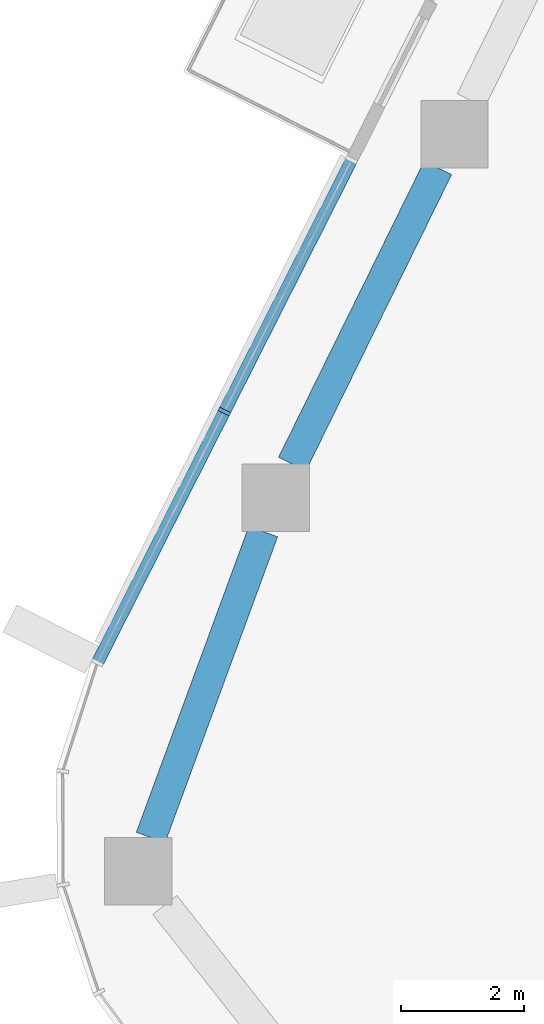
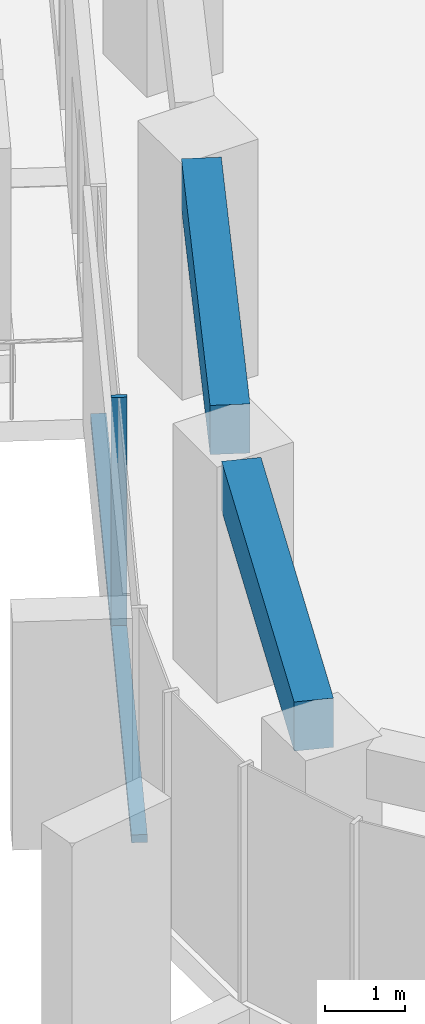
# One storey, part 3 of 21: 2 beams, 2 members, 1 element without a shape of its own.
"""IFC4 building model written with IfcOpenShell, lengths in metres."""

from ifc_helpers import new_model, si_unit, direction, frame, origin, origin_2d, place, context, subcontext, project, spatial, rectangle, extrude, material, layer, layer_set, material_profile, profile_set, type_object, element, aggregate, save


model = new_model("IFC4")

# Units and contexts
model_context = context("Model", 3, precision=1e-05, world=origin(), true_north=direction((0.0, 1.0)))
body_context = subcontext(model_context, "Body", "Model", "MODEL_VIEW")
ifc_project = project(units=[si_unit("LENGTHUNIT", "METRE"), si_unit("AREAUNIT", "SQUARE_METRE"), si_unit("VOLUMEUNIT", "CUBIC_METRE"), si_unit("PLANEANGLEUNIT", "RADIAN"), si_unit("MASSUNIT", "GRAM", prefix="KILO")], contexts=[model_context])

# Site, building, storey
site_placement = place(None, origin())
site = spatial("IfcSite", under=ifc_project, at=site_placement, CompositionType="ELEMENT")
building_placement = place(site_placement, origin())
building = spatial("IfcBuilding", under=site, at=building_placement, Name="Dongbaek Canopy Tower", CompositionType="ELEMENT")
storey_placement = place(building_placement, frame((0.0, 0.0, 279.0)))
storey = spatial("IfcBuildingStorey", under=building, at=storey_placement, Name="L59", CompositionType="ELEMENT", Elevation=279.0)

# Curtain wall, members
ifc_material_1 = material(Name="Aluminium 6063-T6 pale anodised", Category="aluminium")
ifc_layer = layer(ifc_material_1, 0.199951171875)
ifc_layer_set = layer_set([ifc_layer], Name="CW-1 unitised tower curtain wall")
curtain_wall_type = type_object("IfcCurtainWallType", Name="CW-1 unitised tower curtain wall", PredefinedType="NOTDEFINED", material=ifc_layer_set)
curtain_wall_placement = place(storey_placement, origin())
curtain_wall = element("IfcCurtainWall", 1, at=curtain_wall_placement, inside=storey, type_object=curtain_wall_type, Name="CW-1 curtain wall F2.1", PredefinedType="NOTDEFINED")
ifc_material_2 = material(Name="Aluminium 6063-T6 pale anodised", Category="aluminium")
ifc_material_profile_1 = material_profile(ifc_material_2, rectangle(XDim=0.199951171875, YDim=0.06005859375, at=origin_2d()), Name="CW-1 mullion 60 x 200")
ifc_profile_set_1 = profile_set([ifc_material_profile_1], Name="Aluminium 6063-T6 pale anodised")
member_type_1 = type_object("IfcMemberType", Name="CW-1 mullion 60 x 200", PredefinedType="MULLION", material=ifc_profile_set_1)
member_1_placement = place(storey_placement, frame((-26.377197265625, 1.48388671875, 0.1201171875), z_axis=(0.0, 0.0, 1.0), x_axis=(-0.892500376776, 0.45104664665, 0.0)))
member_1 = element("IfcMember", 2, at=member_1_placement, type_object=member_type_1, Name="CW-1 mullion F2.1.2", PredefinedType="MULLION", context=body_context, shape_type="SweptSolid", body=[
    extrude(rectangle(XDim=0.199951171875, YDim=0.06005859375, at=origin_2d()), origin(), (0.0, 0.0, 1.0), 3.47998046875),
])
ifc_material_3 = material(Name="Aluminium 6063-T6 pale anodised", Category="aluminium")
ifc_material_profile_2 = material_profile(ifc_material_3, rectangle(XDim=0.199951171875, YDim=0.1201171875, at=origin_2d()), Name="CW-1 transom 120 x 200")
ifc_profile_set_2 = profile_set([ifc_material_profile_2], Name="Aluminium 6063-T6 pale anodised")
member_type_2 = type_object("IfcMemberType", Name="CW-1 transom 120 x 200", PredefinedType="USERDEFINED", material=ifc_profile_set_2)
member_2_placement = place(storey_placement, frame((-24.3017578125, 5.5908203125, 0.06005859375), z_axis=(-0.451043409076, -0.892502012955, 0.0), x_axis=(0.892502012955, -0.451043409076, 0.0)))
member_2 = element("IfcMember", 3, at=member_2_placement, type_object=member_type_2, Name="CW-1 transom F2.1.1", ObjectType="TRANSOM", PredefinedType="USERDEFINED", context=body_context, shape_type="SweptSolid", body=[
    extrude(rectangle(XDim=0.199951171875, YDim=0.1201171875, at=origin_2d()), origin(), (0.0, 0.0, 1.0), 9.1953125),
])
aggregate(curtain_wall, [member_1, member_2])

# Beams
ifc_material_4 = material(Name="Concrete C70", Category="concrete")
ifc_material_profile_3 = material_profile(ifc_material_4, rectangle(XDim=0.5, YDim=0.75, at=origin_2d()), Name="RC EDGE BEAM 500x750 C70")
ifc_profile_set_3 = profile_set([ifc_material_profile_3], Name="Concrete C70")
beam_type = type_object("IfcBeamType", Name="RC EDGE BEAM 500x750 C70", PredefinedType="BEAM", material=ifc_profile_set_3)
beam_1_placement = place(storey_placement, frame((-27.57958984375, -5.469970703125, 3.22509765625), z_axis=(0.345180317771, 0.938536386201, 0.0), x_axis=(-0.938536386201, 0.345180317771, 0.0)))
element("IfcBeam", 4, at=beam_1_placement, inside=storey, type_object=beam_type, Name="EDGEBEAM:L59:08", PredefinedType="BEAM", context=body_context, shape_type="SweptSolid", body=[
    extrude(rectangle(XDim=0.5, YDim=0.75, at=origin_2d()), origin(), (0.0, 0.0, 1.0), 5.322998046875),
])
beam_2_placement = place(storey_placement, frame((-25.26953125, 0.6259765625, 3.22509765625), z_axis=(0.44133161815, 0.897344082736, 0.0), x_axis=(-0.897344082736, 0.44133161815, 0.0)))
element("IfcBeam", 5, at=beam_2_placement, inside=storey, type_object=beam_type, Name="EDGEBEAM:L59:09", PredefinedType="BEAM", context=body_context, shape_type="SweptSolid", body=[
    extrude(rectangle(XDim=0.5, YDim=0.75, at=origin_2d()), origin(), (0.0, 0.0, 1.0), 5.38818359375),
])

save(model, "model.ifc")
